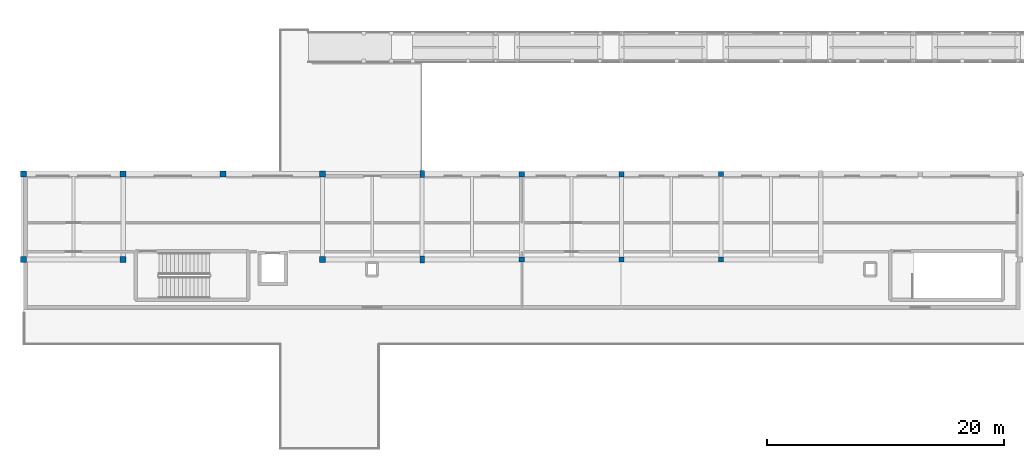
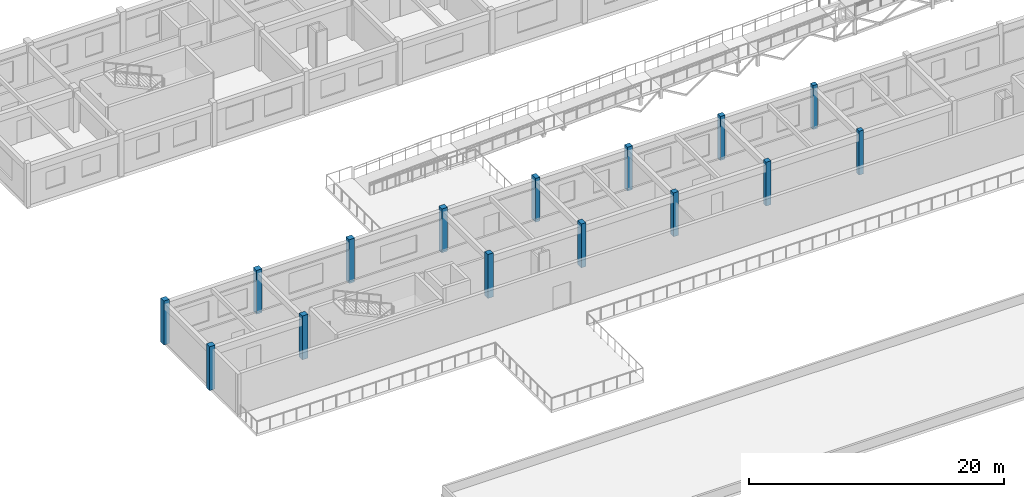
# One storey, part 1 of 41: 15 columns.
"""IFC4 building model written with IfcOpenShell, lengths in metres."""

from ifc_helpers import new_model, si_unit, direction, frame, origin, origin_2d, place, context, subcontext, project, spatial, rectangle, extrude, material, material_profile, profile_set, type_object, element, save


model = new_model("IFC4")

# Units and contexts
model_context = context("Model", 3, precision=1e-05, world=origin(), true_north=direction((0.0, 1.0)))
body_context = subcontext(model_context, "Body", "Model", "MODEL_VIEW")
ifc_project = project(units=[si_unit("LENGTHUNIT", "METRE"), si_unit("AREAUNIT", "SQUARE_METRE"), si_unit("VOLUMEUNIT", "CUBIC_METRE"), si_unit("PLANEANGLEUNIT", "RADIAN"), si_unit("MASSUNIT", "GRAM", prefix="KILO")], contexts=[model_context])

# Site, building, storey
site_placement = place(None, origin())
site = spatial("IfcSite", under=ifc_project, at=site_placement, CompositionType="ELEMENT")
building_placement = place(site_placement, origin())
building = spatial("IfcBuilding", under=site, at=building_placement, Name="Malvenik Polytechnic", CompositionType="ELEMENT")
storey_placement = place(building_placement, frame((0.0, 0.0, 17.699951171875)))
storey = spatial("IfcBuildingStorey", under=building, at=storey_placement, Name="L04", CompositionType="ELEMENT", Elevation=17.699951171875)

# Columns
ifc_material_1 = material(Name="Concrete C35/45", Category="concrete")
ifc_material_profile_1 = material_profile(ifc_material_1, rectangle(XDim=0.5, YDim=0.5, at=origin_2d()), Name="RC COL 500x500")
ifc_profile_set_1 = profile_set([ifc_material_profile_1], Name="Concrete C35/45")
column_type_1 = type_object("IfcColumnType", Name="STR-COL-C-08", PredefinedType="COLUMN", material=ifc_profile_set_1)
for number, where, z_axis, x_axis, name in (
    (1, (0.0, 86.39990234375, 0.0), (0.0, 0.0, 1.0), (1.0, 0.0, 0.0), "Column C-08 L04 (0.0,86.4)"),
    (2, (0.0, 93.60009765625, 0.0), (0.0, 0.0, 1.0), (1.0, 0.0, 0.0), "Column C-08 L04 (0.0,93.6)"),
    (3, (8.39990234375, 86.39990234375, 0.0), (0.0, 0.0, 1.0), (1.0, 0.0, 0.0), "Column C-08 L04 (8.4,86.4)"),
    (4, (8.39990234375, 93.60009765625, 0.0), (0.0, 0.0, 1.0), (1.0, 0.0, 0.0), "Column C-08 L04 (8.4,93.6)"),
    (5, (16.800048828125, 93.60009765625, 0.0), (0.0, 0.0, 1.0), (1.0, 0.0, 0.0), "Column C-08 L04 (16.8,93.6)"),
    (6, (25.199951171875, 86.39990234375, 0.0), (0.0, 0.0, 1.0), (1.0, 0.0, 0.0), "Column C-08 L04 (25.2,86.4)"),
    (7, (25.199951171875, 93.60009765625, 0.0), (0.0, 0.0, 1.0), (1.0, 0.0, 0.0), "Column C-08 L04 (25.2,93.6)"),
):
    element("IfcColumn", number, at=place(storey_placement, frame(where, z_axis=z_axis, x_axis=x_axis)), inside=storey, type_object=column_type_1, Name=name, PredefinedType="COLUMN", context=body_context, shape_type="SweptSolid", body=[
        extrude(rectangle(XDim=0.5, YDim=0.5, at=origin_2d()), origin(), (0.0, 0.0, 1.0), 4.199951171875),
    ])
ifc_material_profile_2 = material_profile(ifc_material_1, rectangle(XDim=0.449951171875, YDim=0.449951171875, at=origin_2d()), Name="RC COL 450x450")
ifc_profile_set_2 = profile_set([ifc_material_profile_2], Name="Concrete C35/45")
column_type_2 = type_object("IfcColumnType", Name="STR-COL-C-09", PredefinedType="COLUMN", material=ifc_profile_set_2)
for number, where, z_axis, x_axis, name in (
    (8, (42.0, 86.39990234375, 0.0), (0.0, 0.0, 1.0), (1.0, 0.0, 0.0), "Column C-09 L04 (42.0,86.4)"),
    (9, (42.0, 93.60009765625, 0.0), (0.0, 0.0, 1.0), (1.0, 0.0, 0.0), "Column C-09 L04 (42.0,93.6)"),
    (10, (50.39990234375, 86.39990234375, 0.0), (0.0, 0.0, 1.0), (1.0, 0.0, 0.0), "Column C-09 L04 (50.4,86.4)"),
    (11, (50.39990234375, 93.60009765625, 0.0), (0.0, 0.0, 1.0), (1.0, 0.0, 0.0), "Column C-09 L04 (50.4,93.6)"),
):
    element("IfcColumn", number, at=place(storey_placement, frame(where, z_axis=z_axis, x_axis=x_axis)), inside=storey, type_object=column_type_2, Name=name, PredefinedType="COLUMN", context=body_context, shape_type="SweptSolid", body=[
        extrude(rectangle(XDim=0.449951171875, YDim=0.449951171875, at=origin_2d()), origin(), (0.0, 0.0, 1.0), 4.199951171875),
    ])
ifc_material_2 = material(Name="Concrete C30/37", Category="concrete")
ifc_material_profile_3 = material_profile(ifc_material_2, rectangle(XDim=0.39990234375, YDim=0.39990234375, at=origin_2d()), Name="RC COL 400x400")
ifc_profile_set_3 = profile_set([ifc_material_profile_3], Name="Concrete C30/37")
column_type_3 = type_object("IfcColumnType", Name="STR-COL-C-10", PredefinedType="COLUMN", material=ifc_profile_set_3)
for number, where, z_axis, x_axis, name in (
    (12, (58.800048828125, 86.39990234375, 0.0), (0.0, 0.0, 1.0), (1.0, 0.0, 0.0), "Column C-10 L04 (58.8,86.4)"),
    (13, (58.800048828125, 93.60009765625, 0.0), (0.0, 0.0, 1.0), (1.0, 0.0, 0.0), "Column C-10 L04 (58.8,93.6)"),
):
    element("IfcColumn", number, at=place(storey_placement, frame(where, z_axis=z_axis, x_axis=x_axis)), inside=storey, type_object=column_type_3, Name=name, PredefinedType="COLUMN", context=body_context, shape_type="SweptSolid", body=[
        extrude(rectangle(XDim=0.39990234375, YDim=0.39990234375, at=origin_2d()), origin(), (0.0, 0.0, 1.0), 4.199951171875),
    ])
ifc_material_profile_4 = material_profile(ifc_material_1, rectangle(XDim=0.39990234375, YDim=0.60009765625, at=origin_2d()), Name="RC COL 600x400")
ifc_profile_set_4 = profile_set([ifc_material_profile_4], Name="Concrete C35/45")
column_type_4 = type_object("IfcColumnType", Name="STR-COL-C-15", PredefinedType="COLUMN", material=ifc_profile_set_4)
for number, where, z_axis, x_axis, name in (
    (14, (33.60009765625, 86.39990234375, 0.0), (0.0, 0.0, 1.0), (1.0, 0.0, 0.0), "Column C-15 L04 (33.6,86.4)"),
    (15, (33.60009765625, 93.60009765625, 0.0), (0.0, 0.0, 1.0), (1.0, 0.0, 0.0), "Column C-15 L04 (33.6,93.6)"),
):
    element("IfcColumn", number, at=place(storey_placement, frame(where, z_axis=z_axis, x_axis=x_axis)), inside=storey, type_object=column_type_4, Name=name, PredefinedType="COLUMN", context=body_context, shape_type="SweptSolid", body=[
        extrude(rectangle(XDim=0.39990234375, YDim=0.60009765625, at=origin_2d()), origin(), (0.0, 0.0, 1.0), 4.199951171875),
    ])

save(model, "model.ifc")
